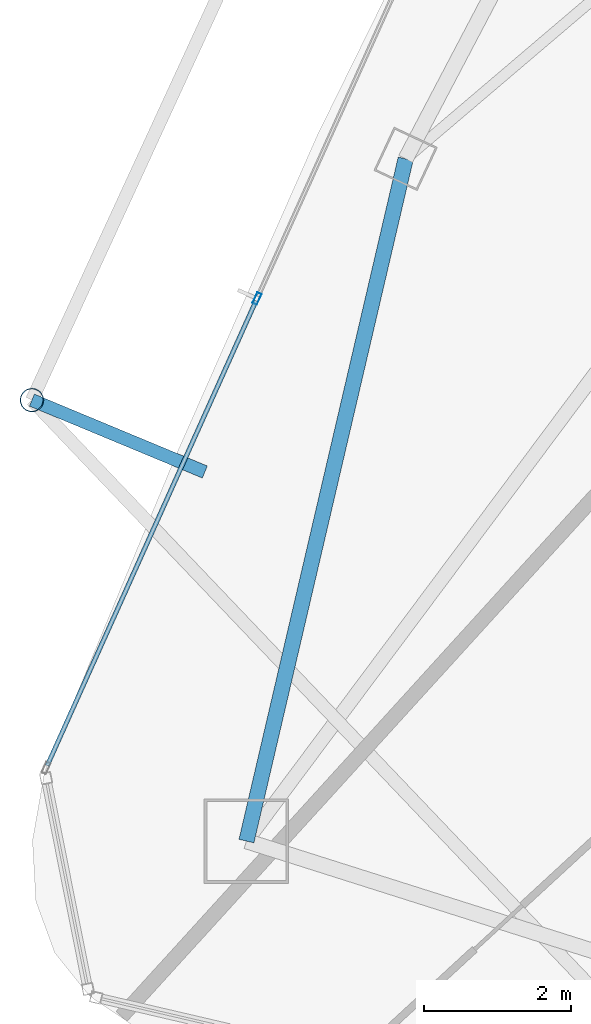
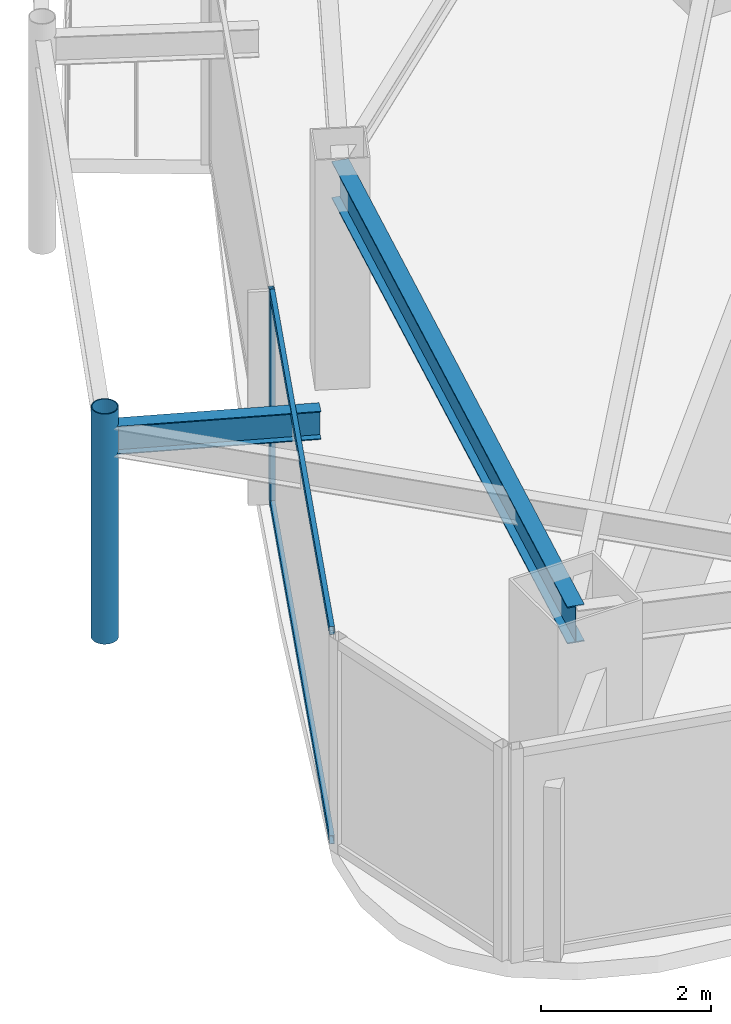
# One storey, part 5 of 30: 4 members, 2 beams, 1 element without a shape of its own.
"""IFC4 building model written with IfcOpenShell, lengths in metres."""

import ifcopenshell
import ifcopenshell.guid

model = None  # the IFC model being written
_history = None  # IfcOwnerHistory: only IFC2X3 demands one
_inside = {}  # id of a spatial element -> (the spatial element, [elements in it])
_under = {}  # id of a project, library or spatial element -> (it, [spatial elements below it])
_declared = {}  # id of a project -> (the project, [libraries it declares])
_typed = {}  # id of a type object -> (the type object, [elements of that type])
_made_of = {}  # id of a material, layer set ... -> (it, [elements and type objects made of it])


def new_model(schema):
    """Start an empty IFC model of exactly this schema.

    Asked for "IFC4X3", IfcOpenShell would pick the latest addendum, in which some entities
    have other attributes; the version numbers below select the first issue.
    IFC2X3 requires an IfcOwnerHistory on every rooted entity: one is made here for all.
    """
    global model, _history
    if schema == "IFC4X3":
        model = ifcopenshell.file(schema_version=(4, 3, 0, 0))
    else:
        model = ifcopenshell.file(schema=schema)
    _inside.clear()
    _under.clear()
    _declared.clear()
    _typed.clear()
    _made_of.clear()
    _history = None
    if model.schema == "IFC2X3":
        org = make("IfcOrganization", Name="unknown")
        user = make(
            "IfcPersonAndOrganization",
            ThePerson=make("IfcPerson", FamilyName="unknown"),
            TheOrganization=org,
        )
        app = make(
            "IfcApplication",
            ApplicationDeveloper=org,
            Version="unknown",
            ApplicationFullName="unknown",
            ApplicationIdentifier="unknown",
        )
        _history = make(
            "IfcOwnerHistory",
            OwningUser=user,
            OwningApplication=app,
            ChangeAction="ADDED",
            CreationDate=0,
        )
    return model


def make(cls, **values):
    """One entity of the class cls with the attributes given. An attribute that is None is left unset."""
    return model.create_entity(
        cls, **{name: value for name, value in values.items() if value is not None}
    )


def rooted(cls, **values):
    """An entity with a GlobalId (a new one), such as an element, a storey or a relation."""
    return make(cls, GlobalId=ifcopenshell.guid.new(), OwnerHistory=_history, **values)


def si_unit(unit_type, name, prefix=None):
    """IfcSIUnit, for example si_unit("LENGTHUNIT", "METRE", prefix="MILLI")."""
    return make("IfcSIUnit", UnitType=unit_type, Prefix=prefix, Name=name)


def assignment(units):
    """IfcUnitAssignment: the units of a project."""
    return None if units is None else make("IfcUnitAssignment", Units=units)


def point(xyz):
    """IfcCartesianPoint."""
    return None if xyz is None else make("IfcCartesianPoint", Coordinates=xyz)


def direction(xyz):
    """IfcDirection."""
    return None if xyz is None else make("IfcDirection", DirectionRatios=xyz)


def frame(location, z_axis=None, x_axis=None):
    """IfcAxis2Placement3D, a coordinate frame: its origin and axes. An axis left out is left unset."""
    return make(
        "IfcAxis2Placement3D",
        Location=point(location),
        Axis=direction(z_axis),
        RefDirection=direction(x_axis),
    )


def frame_2d(location, x_axis=None):
    """IfcAxis2Placement2D, a coordinate frame in the plane: its origin and x axis."""
    return make(
        "IfcAxis2Placement2D", Location=point(location), RefDirection=direction(x_axis)
    )


def origin():
    """The frame at (0, 0, 0) with its axes left unset."""
    return frame((0.0, 0.0, 0.0))


def origin_2d():
    """The frame at (0, 0) in the plane with its x axis left unset."""
    return frame_2d((0.0, 0.0))


def place(relative_to, where):
    """IfcLocalPlacement: puts the frame where relative to a parent placement (None: the world)."""
    return make(
        "IfcLocalPlacement", PlacementRelTo=relative_to, RelativePlacement=where
    )


def context(
    kind, dimensions, precision=None, world=None, true_north=None, identifier=None
):
    """IfcGeometricRepresentationContext, for example the 3D "Model" context."""
    return make(
        "IfcGeometricRepresentationContext",
        ContextIdentifier=identifier,
        ContextType=kind,
        CoordinateSpaceDimension=dimensions,
        Precision=precision,
        WorldCoordinateSystem=world,
        TrueNorth=true_north,
    )


def subcontext(parent, identifier, kind, view, scale=None):
    """IfcGeometricRepresentationSubContext, for example "Body" below "Model"."""
    return make(
        "IfcGeometricRepresentationSubContext",
        ContextIdentifier=identifier,
        ContextType=kind,
        ParentContext=parent,
        TargetScale=scale,
        TargetView=view,
    )


def project(units=None, contexts=None):
    """IfcProject with its units and contexts."""
    return rooted(
        "IfcProject",
        Name="project",
        RepresentationContexts=contexts,
        UnitsInContext=assignment(units),
    )


def spatial(cls, under=None, at=None, **own):
    """A site, building, storey or space (cls), placed at a placement, below another one or the project."""
    s = rooted(cls, ObjectPlacement=at, **own)
    if under is not None:
        _under.setdefault(under.id(), (under, []))[1].append(s)
    return s


def profile(cls, at=None, kind="AREA", **sizes):
    """A parametric profile (cls). Its sizes go by their IFC names, for example OverallWidth=200.0."""
    return make(cls, ProfileType=kind, Position=at, **sizes)


def hollow_rectangle(**sizes):
    """IfcRectangleHollowProfileDef."""
    return profile("IfcRectangleHollowProfileDef", **sizes)


def hollow_circle(**sizes):
    """IfcCircleHollowProfileDef."""
    return profile("IfcCircleHollowProfileDef", **sizes)


def i_section(**sizes):
    """IfcIShapeProfileDef."""
    return profile("IfcIShapeProfileDef", **sizes)


def extrude(swept, where, along, depth):
    """IfcExtrudedAreaSolid: the profile swept, set in the frame where, extruded along a direction by depth."""
    return make(
        "IfcExtrudedAreaSolid",
        SweptArea=swept,
        Position=where,
        ExtrudedDirection=direction(along),
        Depth=depth,
    )


def shape(context_of_items, identifier, shape_type, items):
    """IfcShapeRepresentation: the items that make up one representation, for example the "Body"."""
    return make(
        "IfcShapeRepresentation",
        ContextOfItems=context_of_items,
        RepresentationIdentifier=identifier,
        RepresentationType=shape_type,
        Items=items,
    )


def material(Name=None, Category=None):
    """IfcMaterial."""
    return make("IfcMaterial", Name=Name, Category=Category)


def layer(
    of_material, thickness, ventilated=None, Name=None, Category=None, Priority=None
):
    """IfcMaterialLayer: one layer of a wall or slab, of a material (None: an air gap)."""
    return make(
        "IfcMaterialLayer",
        Material=of_material,
        LayerThickness=thickness,
        IsVentilated=ventilated,
        Name=Name,
        Category=Category,
        Priority=Priority,
    )


def layer_set(layers, Name=None):
    """IfcMaterialLayerSet."""
    return make("IfcMaterialLayerSet", MaterialLayers=layers, LayerSetName=Name)


def material_profile(
    of_material, cross_section, Name=None, Category=None, Priority=None
):
    """IfcMaterialProfile: a cross section and its material."""
    return make(
        "IfcMaterialProfile",
        Name=Name,
        Material=of_material,
        Profile=cross_section,
        Priority=Priority,
        Category=Category,
    )


def profile_set(profiles, Name=None, composite=None):
    """IfcMaterialProfileSet."""
    return make(
        "IfcMaterialProfileSet",
        Name=Name,
        MaterialProfiles=profiles,
        CompositeProfile=composite,
    )


def made_of(thing, what):
    """Note that an element or type object is made of a material, layer set ...; save() writes the relation."""
    if what is not None:
        _made_of.setdefault(what.id(), (what, []))[1].append(thing)
    return thing


def type_object(cls, material=None, **own):
    """A type object (cls), such as IfcWallType, which elements share."""
    return made_of(rooted(cls, **own), material)


def element(
    cls,
    number,
    at=None,
    inside=None,
    cuts=None,
    type_object=None,
    material=None,
    context=None,
    identifier="Body",
    shape_type=None,
    held_by="IfcProductDefinitionShape",
    body=None,
    shapes=None,
    **own,
):
    """One element of the class cls, such as IfcWall. Its Tag is "e" and its number.

    at: its placement. inside: the storey or other place that contains it. cuts: it is an
    opening in that element (IfcRelVoidsElement). A single representation is given by context,
    identifier, shape_type and body (its items); several are given by shapes. held_by: the class
    of the entity that holds the representations. save() writes the other relations.
    """
    e = rooted(cls, Tag="e%d" % number, ObjectPlacement=at, **own)
    if body is not None:
        shapes = [shape(context, identifier, shape_type, body)]
    if shapes is not None:
        e.Representation = make(held_by, Representations=shapes)
    if inside is not None:
        _inside.setdefault(inside.id(), (inside, []))[1].append(e)
    if cuts is not None:
        rooted(
            "IfcRelVoidsElement", RelatingBuildingElement=cuts, RelatedOpeningElement=e
        )
    if type_object is not None:
        _typed.setdefault(type_object.id(), (type_object, []))[1].append(e)
    return made_of(e, material)


def aggregate(whole, parts):
    """IfcRelAggregates: a whole, such as a stair, and the parts it consists of."""
    return rooted("IfcRelAggregates", RelatingObject=whole, RelatedObjects=parts)


def save(model, path):
    """Write the relations noted so far, then the file.

    IfcRelAggregates (storeys below a building ...), IfcRelContainedInSpatialStructure (elements
    in a storey), IfcRelDefinesByType, IfcRelAssociatesMaterial and IfcRelDeclares: one each for
    every whole, place, type object, material and project.
    """
    for whole, parts in _under.values():
        aggregate(whole, parts)
    for where, things in _inside.values():
        rooted(
            "IfcRelContainedInSpatialStructure",
            RelatedElements=things,
            RelatingStructure=where,
        )
    for kind, things in _typed.values():
        rooted("IfcRelDefinesByType", RelatedObjects=things, RelatingType=kind)
    for what, things in _made_of.values():
        rooted("IfcRelAssociatesMaterial", RelatedObjects=things, RelatingMaterial=what)
    for by, libraries in _declared.values():
        rooted("IfcRelDeclares", RelatingContext=by, RelatedDefinitions=libraries)
    model.write(path)


model = new_model("IFC4")

# Units and contexts
model_context = context("Model", 3, precision=1e-05, world=origin(), true_north=direction((0.0, 1.0)))
body_context = subcontext(model_context, "Body", "Model", "MODEL_VIEW")
ifc_project = project(units=[si_unit("LENGTHUNIT", "METRE"), si_unit("AREAUNIT", "SQUARE_METRE"), si_unit("VOLUMEUNIT", "CUBIC_METRE"), si_unit("PLANEANGLEUNIT", "RADIAN"), si_unit("MASSUNIT", "GRAM", prefix="KILO")], contexts=[model_context])

# Site, building, storey
site_placement = place(None, origin())
site = spatial("IfcSite", under=ifc_project, at=site_placement, CompositionType="ELEMENT")
building_placement = place(site_placement, origin())
building = spatial("IfcBuilding", under=site, at=building_placement, Name="Orvanel Arch Residences", CompositionType="ELEMENT")
storey_placement = place(building_placement, frame((0.0, 0.0, 270.050048828125)))
storey = spatial("IfcBuildingStorey", under=building, at=storey_placement, Name="L77", CompositionType="ELEMENT", Elevation=270.050048828125)

# Curtain wall, member
ifc_material_1 = material(Name="Bronze-anodised aluminium AA6063-T6", Category="aluminium")
ifc_layer = layer(ifc_material_1, 0.175048828125)
ifc_layer_set = layer_set([ifc_layer], Name="Bronze-anodised aluminium AA6063-T6")
curtain_wall_type = type_object("IfcCurtainWallType", Name="CW4-HI-SYS", PredefinedType="NOTDEFINED", material=ifc_layer_set)
curtain_wall_placement = place(storey_placement, origin())
curtain_wall = element("IfcCurtainWall", 1, at=curtain_wall_placement, inside=storey, type_object=curtain_wall_type, Name="L77 CW4-HI-SYS Unitised Curtain Wall", PredefinedType="NOTDEFINED")
ifc_material_profile_1 = material_profile(ifc_material_1, hollow_rectangle(XDim=0.06494140625, YDim=0.159912109375, WallThickness=0.00390625, at=origin_2d()), Name="ALU160x65x4")
ifc_profile_set_1 = profile_set([ifc_material_profile_1], Name="Bronze-anodised aluminium AA6063-T6")
member_type_1 = type_object("IfcMemberType", Name="MUL-160x65", PredefinedType="MULLION", material=ifc_profile_set_1)
member_1_placement = place(storey_placement, frame((14.343017578125, 17.739990234375, 0.0), z_axis=(0.0, 0.0, 1.0), x_axis=(0.912157920998, -0.409838903913, 0.0)))
member_1 = element("IfcMember", 2, at=member_1_placement, type_object=member_type_1, Name="CW-S4 mullion 2", PredefinedType="MULLION", context=body_context, shape_type="SweptSolid", body=[
    extrude(hollow_rectangle(XDim=0.06494140625, YDim=0.159912109375, WallThickness=0.00390625, at=origin_2d()), origin(), (0.0, 0.0, 1.0), 3.06005859375),
])

# Beams
ifc_material_2 = material(Name="Structural steel AS/NZS 3679.1 Grade 300 (300 MPa)", Category="steel")
ifc_material_profile_2 = material_profile(ifc_material_2, i_section(OverallWidth=0.177978515625, OverallDepth=0.406005859375, WebThickness=0.0078125, FlangeThickness=0.0126953125, at=origin_2d()), Name="410UB59.7")
ifc_profile_set_2 = profile_set([ifc_material_profile_2], Name="Structural steel AS/NZS 3679.1 Grade 300 (300 MPa)")
beam_type_1 = type_object("IfcBeamType", Name="OB-410UB-EXT", PredefinedType="SPANDREL", material=ifc_profile_set_2)
beam_1_placement = place(storey_placement, frame((13.632080078125, 15.3779296875, 2.85693359375), z_axis=(-0.923388159695, 0.383867563796, 0.0), x_axis=(-0.383867563796, -0.923388159695, 0.0)))
element("IfcBeam", 3, at=beam_1_placement, inside=storey, type_object=beam_type_1, Name="L77 Outer Frame Radial Tie Beam 04", PredefinedType="SPANDREL", context=body_context, shape_type="SweptSolid", body=[
    extrude(i_section(OverallWidth=0.177978515625, OverallDepth=0.406005859375, WebThickness=0.0078125, FlangeThickness=0.0126953125, at=origin_2d()), origin(), (0.0, 0.0, 1.0), 2.55029296875),
])
ifc_material_profile_3 = material_profile(ifc_material_2, i_section(OverallWidth=0.208984375, OverallDepth=0.532958984375, WebThickness=0.01025390625, FlangeThickness=0.015625, at=origin_2d()), Name="530UB92.4")
ifc_profile_set_3 = profile_set([ifc_material_profile_3], Name="Structural steel AS/NZS 3679.1 Grade 300 (300 MPa)")
beam_type_2 = type_object("IfcBeamType", Name="SP-530UB", PredefinedType="SPANDREL", material=ifc_profile_set_3)
beam_2_placement = place(storey_placement, frame((16.366943359375, 19.64208984375, 2.7939453125), z_axis=(-0.227236087167, -0.973839699688, 0.0), x_axis=(0.973839699688, -0.227236087167, 0.0)))
element("IfcBeam", 4, at=beam_2_placement, inside=storey, type_object=beam_type_2, Name="L77 Perimeter Spandrel Beam 01", PredefinedType="SPANDREL", context=body_context, shape_type="SweptSolid", body=[
    extrude(i_section(OverallWidth=0.208984375, OverallDepth=0.532958984375, WebThickness=0.01025390625, FlangeThickness=0.015625, at=origin_2d()), origin(), (0.0, 0.0, 1.0), 9.54052734375),
])

# Member
ifc_material_3 = material(Name="Structural steel AS/NZS 1163 C350L0 (Grade 350)", Category="steel")
ifc_material_profile_4 = material_profile(ifc_material_3, hollow_circle(Radius=0.162109375, WallThickness=0.0126953125, at=origin_2d()), Name="CHS324x12.7")
ifc_profile_set_4 = profile_set([ifc_material_profile_4], Name="Structural steel AS/NZS 1163 C350L0 (Grade 350)")
member_type_2 = type_object("IfcMemberType", Name="ST-324CHS-EXT", PredefinedType="STRUT", material=ifc_profile_set_4)
member_2_placement = place(storey_placement, frame((11.277099609375, 16.35693359375, 0.0), z_axis=(0.0, 0.0, 1.0), x_axis=(1.0, 0.0, 0.0)))
element("IfcMember", 5, at=member_2_placement, inside=storey, type_object=member_type_2, Name="L77 Outer Perimeter Frame Post 04", PredefinedType="STRUT", context=body_context, shape_type="SweptSolid", body=[
    extrude(hollow_circle(Radius=0.162109375, WallThickness=0.0126953125, at=origin_2d()), origin(), (0.0, 0.0, 1.0), 3.300048828125),
])

ifc_material_profile_5 = material_profile(ifc_material_1, hollow_rectangle(XDim=0.06005859375, YDim=0.1201171875, WallThickness=0.00341796875, at=origin_2d()), Name="ALU120x60x3.5")
ifc_profile_set_5 = profile_set([ifc_material_profile_5], Name="Bronze-anodised aluminium AA6063-T6")
member_type_3 = type_object("IfcMemberType", Name="TRN-120x60", PredefinedType="USERDEFINED", material=ifc_profile_set_5)
member_3_placement = place(storey_placement, frame((14.32958984375, 17.71044921875, 0.030029296875), z_axis=(-0.409819162314, -0.912166790779, 0.0), x_axis=(0.912166790779, -0.409819162314, 0.0)))
member_3 = element("IfcMember", 6, at=member_3_placement, type_object=member_type_3, Name="CW-S4 transom 2.1", ObjectType="TRANSOM", PredefinedType="USERDEFINED", context=body_context, shape_type="SweptSolid", body=[
    extrude(hollow_rectangle(XDim=0.06005859375, YDim=0.1201171875, WallThickness=0.00341796875, at=origin_2d()), origin(), (0.0, 0.0, 1.0), 6.94189453125),
])

member_4_placement = place(storey_placement, frame((14.32958984375, 17.71044921875, 3.030029296875), z_axis=(-0.409819162314, -0.912166790779, 0.0), x_axis=(0.912166790779, -0.409819162314, 0.0)))
member_4 = element("IfcMember", 7, at=member_4_placement, type_object=member_type_3, Name="CW-S4 transom 2.2", ObjectType="TRANSOM", PredefinedType="USERDEFINED", context=body_context, shape_type="SweptSolid", body=[
    extrude(hollow_rectangle(XDim=0.06005859375, YDim=0.1201171875, WallThickness=0.00341796875, at=origin_2d()), origin(), (0.0, 0.0, 1.0), 6.94189453125),
])

aggregate(curtain_wall, [member_1, member_3, member_4])

save(model, "model.ifc")
